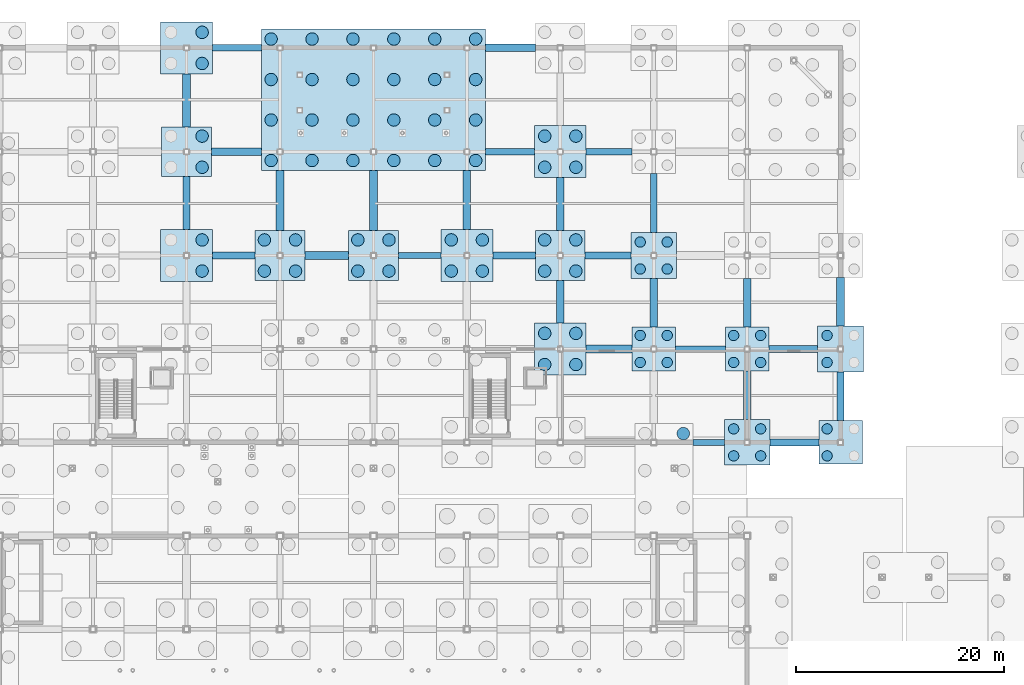
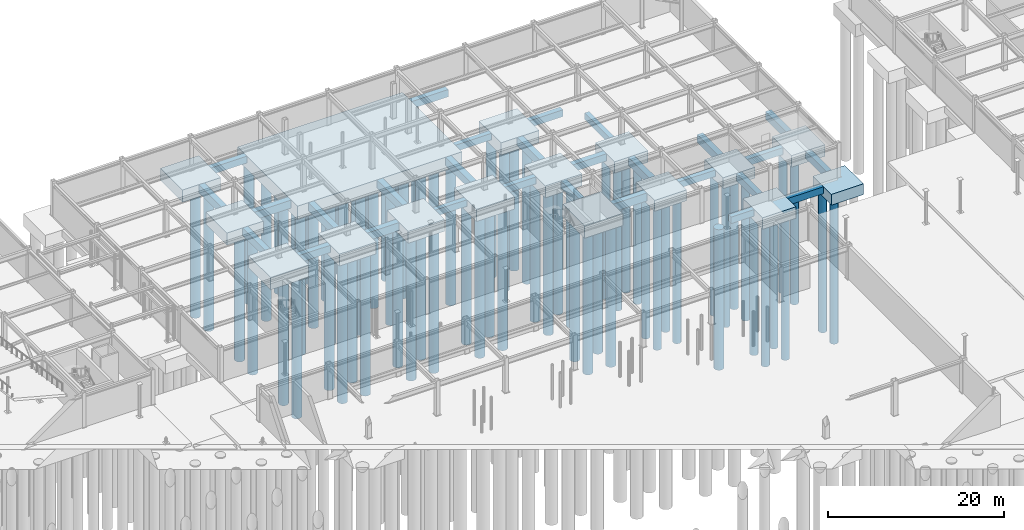
# One storey, part 7 of 74: 75 piles, 44 footings.
"""IFC4 building model written with IfcOpenShell, lengths in metres."""

from ifc_helpers import new_model, si_unit, direction, frame, origin, origin_2d, place, context, subcontext, project, spatial, polyline, rectangle, circle, outline, extrude, material, material_profile, profile_set, type_object, element, save


model = new_model("IFC4")

# Units and contexts
model_context = context("Model", 3, precision=1e-05, world=origin(), true_north=direction((0.0, 1.0)))
body_context = subcontext(model_context, "Body", "Model", "MODEL_VIEW")
ifc_project = project(units=[si_unit("LENGTHUNIT", "METRE"), si_unit("AREAUNIT", "SQUARE_METRE"), si_unit("VOLUMEUNIT", "CUBIC_METRE"), si_unit("PLANEANGLEUNIT", "RADIAN"), si_unit("MASSUNIT", "GRAM", prefix="KILO")], contexts=[model_context])

# Site, building, storey
site_placement = place(None, origin())
site = spatial("IfcSite", under=ifc_project, at=site_placement, CompositionType="ELEMENT")
building_placement = place(site_placement, origin())
building = spatial("IfcBuilding", under=site, at=building_placement, Name="Suzunagisa Mobility Hub", CompositionType="ELEMENT")
storey_placement = place(building_placement, frame((0.0, 0.0, -4.800048828125)))
storey = spatial("IfcBuildingStorey", under=building, at=storey_placement, Name="B1", CompositionType="ELEMENT", Elevation=-4.800048828125)

# Piles
ifc_material_1 = material(Name="Concrete C30/37", Category="concrete")
ifc_material_profile_1 = material_profile(ifc_material_1, circle(Radius=0.60009765625, at=origin_2d()), Name="BORED PILE D1200")
ifc_profile_set_1 = profile_set([ifc_material_profile_1], Name="Concrete C30/37")
pile_type_1 = type_object("IfcPileType", Name="Bored Pile PL-01 D1200", PredefinedType="BORED", material=ifc_profile_set_1)
for number, where, z_axis, x_axis, name in (
    (1, (64.5, 96.5, -2.050048828125), (0.0, 0.0, -1.0), (1.0, 0.0, 0.0), "Bored Pile 54.2"),
    (2, (64.5, 99.5, -2.050048828125), (0.0, 0.0, -1.0), (1.0, 0.0, 0.0), "Bored Pile 54.4"),
):
    element("IfcPile", number, at=place(storey_placement, frame(where, z_axis=z_axis, x_axis=x_axis)), inside=storey, type_object=pile_type_1, Name=name, PredefinedType="BORED", context=body_context, shape_type="SweptSolid", body=[
        extrude(circle(Radius=0.60009765625, at=origin_2d()), origin(), (0.0, 0.0, 1.0), 19.64990234375),
    ])
for number, where, z_axis, x_axis, name in (
    (3, (64.5, 106.5, -2.0), (0.0, 0.0, -1.0), (1.0, 0.0, 0.0), "Bored Pile 55.2"),
    (4, (64.5, 109.5, -2.0), (0.0, 0.0, -1.0), (1.0, 0.0, 0.0), "Bored Pile 55.4"),
):
    element("IfcPile", number, at=place(storey_placement, frame(where, z_axis=z_axis, x_axis=x_axis)), inside=storey, type_object=pile_type_1, Name=name, PredefinedType="BORED", context=body_context, shape_type="SweptSolid", body=[
        extrude(circle(Radius=0.60009765625, at=origin_2d()), origin(), (0.0, 0.0, 1.0), 19.699951171875),
    ])
for number, where, z_axis, x_axis, name in (
    (5, (64.5, 116.5, -2.050048828125), (0.0, 0.0, -1.0), (1.0, 0.0, 0.0), "Bored Pile 56.2"),
    (6, (64.5, 119.5, -2.050048828125), (0.0, 0.0, -1.0), (1.0, 0.0, 0.0), "Bored Pile 56.4"),
):
    element("IfcPile", number, at=place(storey_placement, frame(where, z_axis=z_axis, x_axis=x_axis)), inside=storey, type_object=pile_type_1, Name=name, PredefinedType="BORED", context=body_context, shape_type="SweptSolid", body=[
        extrude(circle(Radius=0.60009765625, at=origin_2d()), origin(), (0.0, 0.0, 1.0), 19.64990234375),
    ])
for number, where, z_axis, x_axis, name in (
    (7, (70.5, 96.5, -2.0), (0.0, 0.0, -1.0), (1.0, 0.0, 0.0), "Bored Pile 61.1"),
    (8, (73.5, 96.5, -2.0), (0.0, 0.0, -1.0), (1.0, 0.0, 0.0), "Bored Pile 61.2"),
    (9, (70.5, 99.5, -2.0), (0.0, 0.0, -1.0), (1.0, 0.0, 0.0), "Bored Pile 61.3"),
    (10, (73.5, 99.5, -2.0), (0.0, 0.0, -1.0), (1.0, 0.0, 0.0), "Bored Pile 61.4"),
):
    element("IfcPile", number, at=place(storey_placement, frame(where, z_axis=z_axis, x_axis=x_axis)), inside=storey, type_object=pile_type_1, Name=name, PredefinedType="BORED", context=body_context, shape_type="SweptSolid", body=[
        extrude(circle(Radius=0.60009765625, at=origin_2d()), origin(), (0.0, 0.0, 1.0), 19.699951171875),
    ])
for number, where, z_axis, x_axis, name in (
    (11, (71.14990234375, 107.14990234375, -2.199951171875), (0.0, 0.0, -1.0), (1.0, 0.0, 0.0), "Bored Pile 62.1"),
    (12, (71.14990234375, 111.050048828125, -2.199951171875), (0.0, 0.0, -1.0), (1.0, 0.0, 0.0), "Bored Pile 62.2"),
    (13, (71.14990234375, 114.949951171875, -2.199951171875), (0.0, 0.0, -1.0), (1.0, 0.0, 0.0), "Bored Pile 62.3"),
    (14, (71.14990234375, 118.85009765625, -2.199951171875), (0.0, 0.0, -1.0), (1.0, 0.0, 0.0), "Bored Pile 62.4"),
    (15, (75.090087890625, 107.14990234375, -2.199951171875), (0.0, 0.0, -1.0), (1.0, 0.0, 0.0), "Bored Pile 62.5"),
    (16, (75.090087890625, 111.050048828125, -2.199951171875), (0.0, 0.0, -1.0), (1.0, 0.0, 0.0), "Bored Pile 62.6"),
    (17, (75.090087890625, 114.949951171875, -2.199951171875), (0.0, 0.0, -1.0), (1.0, 0.0, 0.0), "Bored Pile 62.7"),
    (18, (75.090087890625, 118.85009765625, -2.199951171875), (0.0, 0.0, -1.0), (1.0, 0.0, 0.0), "Bored Pile 62.8"),
    (19, (79.030029296875, 107.14990234375, -2.199951171875), (0.0, 0.0, -1.0), (1.0, 0.0, 0.0), "Bored Pile 62.9"),
    (20, (79.030029296875, 111.050048828125, -2.199951171875), (0.0, 0.0, -1.0), (1.0, 0.0, 0.0), "Bored Pile 62.10"),
    (21, (79.030029296875, 114.949951171875, -2.199951171875), (0.0, 0.0, -1.0), (1.0, 0.0, 0.0), "Bored Pile 62.11"),
    (22, (79.030029296875, 118.85009765625, -2.199951171875), (0.0, 0.0, -1.0), (1.0, 0.0, 0.0), "Bored Pile 62.12"),
    (23, (82.969970703125, 107.14990234375, -2.199951171875), (0.0, 0.0, -1.0), (1.0, 0.0, 0.0), "Bored Pile 62.13"),
    (24, (82.969970703125, 111.050048828125, -2.199951171875), (0.0, 0.0, -1.0), (1.0, 0.0, 0.0), "Bored Pile 62.14"),
    (25, (82.969970703125, 114.949951171875, -2.199951171875), (0.0, 0.0, -1.0), (1.0, 0.0, 0.0), "Bored Pile 62.15"),
    (26, (82.969970703125, 118.85009765625, -2.199951171875), (0.0, 0.0, -1.0), (1.0, 0.0, 0.0), "Bored Pile 62.16"),
    (27, (86.909912109375, 107.14990234375, -2.199951171875), (0.0, 0.0, -1.0), (1.0, 0.0, 0.0), "Bored Pile 62.17"),
    (28, (86.909912109375, 111.050048828125, -2.199951171875), (0.0, 0.0, -1.0), (1.0, 0.0, 0.0), "Bored Pile 62.18"),
    (29, (86.909912109375, 114.949951171875, -2.199951171875), (0.0, 0.0, -1.0), (1.0, 0.0, 0.0), "Bored Pile 62.19"),
    (30, (86.909912109375, 118.85009765625, -2.199951171875), (0.0, 0.0, -1.0), (1.0, 0.0, 0.0), "Bored Pile 62.20"),
    (31, (90.85009765625, 107.14990234375, -2.199951171875), (0.0, 0.0, -1.0), (1.0, 0.0, 0.0), "Bored Pile 62.21"),
    (32, (90.85009765625, 111.050048828125, -2.199951171875), (0.0, 0.0, -1.0), (1.0, 0.0, 0.0), "Bored Pile 62.22"),
    (33, (90.85009765625, 114.949951171875, -2.199951171875), (0.0, 0.0, -1.0), (1.0, 0.0, 0.0), "Bored Pile 62.23"),
    (34, (90.85009765625, 118.85009765625, -2.199951171875), (0.0, 0.0, -1.0), (1.0, 0.0, 0.0), "Bored Pile 62.24"),
):
    element("IfcPile", number, at=place(storey_placement, frame(where, z_axis=z_axis, x_axis=x_axis)), inside=storey, type_object=pile_type_1, Name=name, PredefinedType="BORED", context=body_context, shape_type="SweptSolid", body=[
        extrude(circle(Radius=0.60009765625, at=origin_2d()), origin(), (0.0, 0.0, 1.0), 19.5),
    ])
for number, where, z_axis, x_axis, name in (
    (35, (79.5, 96.5, -2.0), (0.0, 0.0, -1.0), (1.0, 0.0, 0.0), "Bored Pile 67.1"),
    (36, (82.5, 96.5, -2.0), (0.0, 0.0, -1.0), (1.0, 0.0, 0.0), "Bored Pile 67.2"),
    (37, (79.5, 99.5, -2.0), (0.0, 0.0, -1.0), (1.0, 0.0, 0.0), "Bored Pile 67.3"),
    (38, (82.5, 99.5, -2.0), (0.0, 0.0, -1.0), (1.0, 0.0, 0.0), "Bored Pile 67.4"),
):
    element("IfcPile", number, at=place(storey_placement, frame(where, z_axis=z_axis, x_axis=x_axis)), inside=storey, type_object=pile_type_1, Name=name, PredefinedType="BORED", context=body_context, shape_type="SweptSolid", body=[
        extrude(circle(Radius=0.60009765625, at=origin_2d()), origin(), (0.0, 0.0, 1.0), 19.699951171875),
    ])
for number, where, z_axis, x_axis, name in (
    (39, (88.5, 96.5, -2.050048828125), (0.0, 0.0, -1.0), (1.0, 0.0, 0.0), "Bored Pile 72.1"),
    (40, (91.5, 96.5, -2.050048828125), (0.0, 0.0, -1.0), (1.0, 0.0, 0.0), "Bored Pile 72.2"),
    (41, (88.5, 99.5, -2.050048828125), (0.0, 0.0, -1.0), (1.0, 0.0, 0.0), "Bored Pile 72.3"),
    (42, (91.5, 99.5, -2.050048828125), (0.0, 0.0, -1.0), (1.0, 0.0, 0.0), "Bored Pile 72.4"),
    (43, (97.5, 87.5, -2.050048828125), (0.0, 0.0, -1.0), (1.0, 0.0, 0.0), "Bored Pile 78.1"),
    (44, (100.5, 87.5, -2.050048828125), (0.0, 0.0, -1.0), (1.0, 0.0, 0.0), "Bored Pile 78.2"),
    (45, (97.5, 90.5, -2.050048828125), (0.0, 0.0, -1.0), (1.0, 0.0, 0.0), "Bored Pile 78.3"),
    (46, (100.5, 90.5, -2.050048828125), (0.0, 0.0, -1.0), (1.0, 0.0, 0.0), "Bored Pile 78.4"),
):
    element("IfcPile", number, at=place(storey_placement, frame(where, z_axis=z_axis, x_axis=x_axis)), inside=storey, type_object=pile_type_1, Name=name, PredefinedType="BORED", context=body_context, shape_type="SweptSolid", body=[
        extrude(circle(Radius=0.60009765625, at=origin_2d()), origin(), (0.0, 0.0, 1.0), 19.64990234375),
    ])
for number, where, z_axis, x_axis, name in (
    (47, (97.5, 96.5, -2.0), (0.0, 0.0, -1.0), (1.0, 0.0, 0.0), "Bored Pile 79.1"),
    (48, (100.5, 96.5, -2.0), (0.0, 0.0, -1.0), (1.0, 0.0, 0.0), "Bored Pile 79.2"),
    (49, (97.5, 99.5, -2.0), (0.0, 0.0, -1.0), (1.0, 0.0, 0.0), "Bored Pile 79.3"),
    (50, (100.5, 99.5, -2.0), (0.0, 0.0, -1.0), (1.0, 0.0, 0.0), "Bored Pile 79.4"),
):
    element("IfcPile", number, at=place(storey_placement, frame(where, z_axis=z_axis, x_axis=x_axis)), inside=storey, type_object=pile_type_1, Name=name, PredefinedType="BORED", context=body_context, shape_type="SweptSolid", body=[
        extrude(circle(Radius=0.60009765625, at=origin_2d()), origin(), (0.0, 0.0, 1.0), 19.699951171875),
    ])
for number, where, z_axis, x_axis, name in (
    (51, (97.5, 106.5, -2.050048828125), (0.0, 0.0, -1.0), (1.0, 0.0, 0.0), "Bored Pile 80.1"),
    (52, (100.5, 106.5, -2.050048828125), (0.0, 0.0, -1.0), (1.0, 0.0, 0.0), "Bored Pile 80.2"),
    (53, (97.5, 109.5, -2.050048828125), (0.0, 0.0, -1.0), (1.0, 0.0, 0.0), "Bored Pile 80.3"),
    (54, (100.5, 109.5, -2.050048828125), (0.0, 0.0, -1.0), (1.0, 0.0, 0.0), "Bored Pile 80.4"),
):
    element("IfcPile", number, at=place(storey_placement, frame(where, z_axis=z_axis, x_axis=x_axis)), inside=storey, type_object=pile_type_1, Name=name, PredefinedType="BORED", context=body_context, shape_type="SweptSolid", body=[
        extrude(circle(Radius=0.60009765625, at=origin_2d()), origin(), (0.0, 0.0, 1.0), 19.64990234375),
    ])
pile_placement = place(storey_placement, frame((110.85009765625, 80.85009765625, -2.199951171875), z_axis=(0.0, 0.0, -1.0), x_axis=(1.0, 0.0, 0.0)))
element("IfcPile", 55, at=pile_placement, inside=storey, type_object=pile_type_1, Name="Bored Pile 84.8", PredefinedType="BORED", context=body_context, shape_type="SweptSolid", body=[
    extrude(circle(Radius=0.60009765625, at=origin_2d()), origin(), (0.0, 0.0, 1.0), 19.5),
])
ifc_material_profile_2 = material_profile(ifc_material_1, circle(Radius=0.5, at=origin_2d()), Name="BORED PILE D1000")
ifc_profile_set_2 = profile_set([ifc_material_profile_2], Name="Concrete C30/37")
pile_type_2 = type_object("IfcPileType", Name="Bored Pile PL-02 D1000", PredefinedType="BORED", material=ifc_profile_set_2)
for number, where, z_axis, x_axis, name in (
    (56, (106.699951171875, 87.699951171875, -1.849853515625), (0.0, 0.0, -1.0), (1.0, 0.0, 0.0), "Bored Pile 85.1"),
    (57, (109.300048828125, 87.699951171875, -1.849853515625), (0.0, 0.0, -1.0), (1.0, 0.0, 0.0), "Bored Pile 85.2"),
    (58, (106.699951171875, 90.300048828125, -1.849853515625), (0.0, 0.0, -1.0), (1.0, 0.0, 0.0), "Bored Pile 85.3"),
    (59, (109.300048828125, 90.300048828125, -1.849853515625), (0.0, 0.0, -1.0), (1.0, 0.0, 0.0), "Bored Pile 85.4"),
):
    element("IfcPile", number, at=place(storey_placement, frame(where, z_axis=z_axis, x_axis=x_axis)), inside=storey, type_object=pile_type_2, Name=name, PredefinedType="BORED", context=body_context, shape_type="SweptSolid", body=[
        extrude(circle(Radius=0.5, at=origin_2d()), origin(), (0.0, 0.0, 1.0), 19.85009765625),
    ])
for number, where, z_axis, x_axis, name in (
    (60, (106.699951171875, 96.699951171875, -1.949951171875), (0.0, 0.0, -1.0), (1.0, 0.0, 0.0), "Bored Pile 86.1"),
    (61, (109.300048828125, 96.699951171875, -1.949951171875), (0.0, 0.0, -1.0), (1.0, 0.0, 0.0), "Bored Pile 86.2"),
    (62, (106.699951171875, 99.300048828125, -1.949951171875), (0.0, 0.0, -1.0), (1.0, 0.0, 0.0), "Bored Pile 86.3"),
    (63, (109.300048828125, 99.300048828125, -1.949951171875), (0.0, 0.0, -1.0), (1.0, 0.0, 0.0), "Bored Pile 86.4"),
    (64, (115.699951171875, 78.699951171875, -1.949951171875), (0.0, 0.0, -1.0), (1.0, 0.0, 0.0), "Bored Pile 90.1"),
    (65, (118.300048828125, 78.699951171875, -1.949951171875), (0.0, 0.0, -1.0), (1.0, 0.0, 0.0), "Bored Pile 90.2"),
    (66, (115.699951171875, 81.300048828125, -1.949951171875), (0.0, 0.0, -1.0), (1.0, 0.0, 0.0), "Bored Pile 90.3"),
    (67, (118.300048828125, 81.300048828125, -1.949951171875), (0.0, 0.0, -1.0), (1.0, 0.0, 0.0), "Bored Pile 90.4"),
):
    element("IfcPile", number, at=place(storey_placement, frame(where, z_axis=z_axis, x_axis=x_axis)), inside=storey, type_object=pile_type_2, Name=name, PredefinedType="BORED", context=body_context, shape_type="SweptSolid", body=[
        extrude(circle(Radius=0.5, at=origin_2d()), origin(), (0.0, 0.0, 1.0), 19.75),
    ])
for number, where, z_axis, x_axis, name in (
    (68, (115.699951171875, 87.699951171875, -1.849853515625), (0.0, 0.0, -1.0), (1.0, 0.0, 0.0), "Bored Pile 91.1"),
    (69, (118.300048828125, 87.699951171875, -1.849853515625), (0.0, 0.0, -1.0), (1.0, 0.0, 0.0), "Bored Pile 91.2"),
    (70, (115.699951171875, 90.300048828125, -1.849853515625), (0.0, 0.0, -1.0), (1.0, 0.0, 0.0), "Bored Pile 91.3"),
    (71, (118.300048828125, 90.300048828125, -1.849853515625), (0.0, 0.0, -1.0), (1.0, 0.0, 0.0), "Bored Pile 91.4"),
    (72, (124.699951171875, 78.699951171875, -1.849853515625), (0.0, 0.0, -1.0), (1.0, 0.0, 0.0), "Bored Pile 95.1"),
    (73, (124.699951171875, 81.300048828125, -1.849853515625), (0.0, 0.0, -1.0), (1.0, 0.0, 0.0), "Bored Pile 95.3"),
):
    element("IfcPile", number, at=place(storey_placement, frame(where, z_axis=z_axis, x_axis=x_axis)), inside=storey, type_object=pile_type_2, Name=name, PredefinedType="BORED", context=body_context, shape_type="SweptSolid", body=[
        extrude(circle(Radius=0.5, at=origin_2d()), origin(), (0.0, 0.0, 1.0), 19.85009765625),
    ])
for number, where, z_axis, x_axis, name in (
    (74, (124.699951171875, 87.699951171875, -1.949951171875), (0.0, 0.0, -1.0), (1.0, 0.0, 0.0), "Bored Pile 96.1"),
    (75, (124.699951171875, 90.300048828125, -1.949951171875), (0.0, 0.0, -1.0), (1.0, 0.0, 0.0), "Bored Pile 96.3"),
):
    element("IfcPile", number, at=place(storey_placement, frame(where, z_axis=z_axis, x_axis=x_axis)), inside=storey, type_object=pile_type_2, Name=name, PredefinedType="BORED", context=body_context, shape_type="SweptSolid", body=[
        extrude(circle(Radius=0.5, at=origin_2d()), origin(), (0.0, 0.0, 1.0), 19.75),
    ])

# Footings
ifc_material_2 = material(Name="Concrete C35/45", Category="concrete")
footing_type_1 = type_object("IfcFootingType", Name="Combined Prow Pile Cap FR-14 21600x13600x1850", PredefinedType="PILE_CAP", material=ifc_material_2)
footing_1_placement = place(storey_placement, frame((81.0, 113.0, -2.35009765625), z_axis=(0.0, 0.0, 1.0), x_axis=(1.0, 0.0, 0.0)))
element("IfcFooting", 76, at=footing_1_placement, inside=storey, type_object=footing_type_1, Name="Combined Prow Pile Cap 62", PredefinedType="PILE_CAP", context=body_context, shape_type="SweptSolid", body=[
    extrude(rectangle(XDim=21.60009765625, YDim=13.60009765625, at=origin_2d()), origin(), (0.0, 0.0, 1.0), 1.85009765625),
])
footing_type_2 = type_object("IfcFootingType", Name="Ground Tie Beam FT-03 750x1100", PredefinedType="FOOTING_BEAM", material=ifc_material_2)
footing_2_placement = place(storey_placement, frame((0.0, 0.0, -1.599853515625)))
element("IfcFooting", 77, at=footing_2_placement, inside=storey, type_object=footing_type_2, Name="Foundation Tie Beam TBX-108", PredefinedType="FOOTING_BEAM", context=body_context, shape_type="SweptSolid", body=[
    extrude(outline(polyline([(101.5, 88.625), (105.89990234375, 88.625), (105.89990234375, 89.375), (101.5, 89.375), (101.5, 88.625)])), origin(), (0.0, 0.0, 1.0), 1.099853515625),
])
footing_3_placement = place(storey_placement, frame((0.0, 0.0, -1.599853515625)))
element("IfcFooting", 78, at=footing_3_placement, inside=storey, type_object=footing_type_2, Name="Foundation Tie Beam TBX-120", PredefinedType="FOOTING_BEAM", context=body_context, shape_type="SweptSolid", body=[
    extrude(outline(polyline([(74.39990234375, 97.625), (78.60009765625, 97.625), (78.60009765625, 98.375), (74.39990234375, 98.375), (74.39990234375, 97.625)])), origin(), (0.0, 0.0, 1.0), 1.099853515625),
])
footing_4_placement = place(storey_placement, frame((0.0, 0.0, -1.599853515625)))
element("IfcFooting", 79, at=footing_4_placement, inside=storey, type_object=footing_type_2, Name="Foundation Tie Beam TBX-132", PredefinedType="FOOTING_BEAM", context=body_context, shape_type="SweptSolid", body=[
    extrude(outline(polyline([(65.39990234375, 107.625), (70.199951171875, 107.625), (70.199951171875, 108.375), (65.39990234375, 108.375), (65.39990234375, 107.625)])), origin(), (0.0, 0.0, 1.0), 1.099853515625),
])
footing_5_placement = place(storey_placement, frame((0.0, 0.0, -1.599853515625)))
element("IfcFooting", 80, at=footing_5_placement, inside=storey, type_object=footing_type_2, Name="Foundation Tie Beam TBY-192", PredefinedType="FOOTING_BEAM", context=body_context, shape_type="SweptSolid", body=[
    extrude(outline(polyline([(62.625, 110.39990234375), (63.375, 110.39990234375), (63.375, 115.5), (62.625, 115.5), (62.625, 110.39990234375)])), origin(), (0.0, 0.0, 1.0), 1.099853515625),
])
footing_6_placement = place(storey_placement, frame((0.0, 0.0, -1.599853515625)))
element("IfcFooting", 81, at=footing_6_placement, inside=storey, type_object=footing_type_2, Name="Foundation Tie Beam TBY-196", PredefinedType="FOOTING_BEAM", context=body_context, shape_type="SweptSolid", body=[
    extrude(outline(polyline([(71.625, 100.39990234375), (72.375, 100.39990234375), (72.375, 106.199951171875), (71.625, 106.199951171875), (71.625, 100.39990234375)])), origin(), (0.0, 0.0, 1.0), 1.099853515625),
])
footing_7_placement = place(storey_placement, frame((0.0, 0.0, -1.599853515625)))
element("IfcFooting", 82, at=footing_7_placement, inside=storey, type_object=footing_type_2, Name="Foundation Tie Beam TBY-200", PredefinedType="FOOTING_BEAM", context=body_context, shape_type="SweptSolid", body=[
    extrude(outline(polyline([(80.625, 100.39990234375), (81.375, 100.39990234375), (81.375, 106.199951171875), (80.625, 106.199951171875), (80.625, 100.39990234375)])), origin(), (0.0, 0.0, 1.0), 1.099853515625),
])
footing_8_placement = place(storey_placement, frame((0.0, 0.0, -1.599853515625)))
element("IfcFooting", 83, at=footing_8_placement, inside=storey, type_object=footing_type_2, Name="Foundation Tie Beam TBY-204", PredefinedType="FOOTING_BEAM", context=body_context, shape_type="SweptSolid", body=[
    extrude(outline(polyline([(89.625, 100.5), (90.375, 100.5), (90.375, 106.199951171875), (89.625, 106.199951171875), (89.625, 100.5)])), origin(), (0.0, 0.0, 1.0), 1.099853515625),
])
footing_9_placement = place(storey_placement, frame((0.0, 0.0, -1.599853515625)))
element("IfcFooting", 84, at=footing_9_placement, inside=storey, type_object=footing_type_2, Name="Foundation Tie Beam TBY-208", PredefinedType="FOOTING_BEAM", context=body_context, shape_type="SweptSolid", body=[
    extrude(outline(polyline([(98.625, 100.39990234375), (99.375, 100.39990234375), (99.375, 105.5), (98.625, 105.5), (98.625, 100.39990234375)])), origin(), (0.0, 0.0, 1.0), 1.099853515625),
])
footing_10_placement = place(storey_placement, frame((0.0, 0.0, -1.599853515625)))
element("IfcFooting", 85, at=footing_10_placement, inside=storey, type_object=footing_type_2, Name="Foundation Tie Beam TBY-212", PredefinedType="FOOTING_BEAM", context=body_context, shape_type="SweptSolid", body=[
    extrude(outline(polyline([(107.625, 91.10009765625), (108.375, 91.10009765625), (108.375, 95.800048828125), (107.625, 95.800048828125), (107.625, 91.10009765625)])), origin(), (0.0, 0.0, 1.0), 1.099853515625),
])
footing_11_placement = place(storey_placement, frame((0.0, 0.0, -1.599853515625)))
element("IfcFooting", 86, at=footing_11_placement, inside=storey, type_object=footing_type_2, Name="Foundation Tie Beam TBY-216", PredefinedType="FOOTING_BEAM", context=body_context, shape_type="SweptSolid", body=[
    extrude(outline(polyline([(116.625, 91.10009765625), (117.375, 91.10009765625), (117.375, 95.800048828125), (116.625, 95.800048828125), (116.625, 91.10009765625)])), origin(), (0.0, 0.0, 1.0), 1.099853515625),
])
footing_12_placement = place(storey_placement, frame((0.0, 0.0, -1.599853515625)))
element("IfcFooting", 87, at=footing_12_placement, inside=storey, type_object=footing_type_2, Name="Foundation Tie Beam TBY-220", PredefinedType="FOOTING_BEAM", context=body_context, shape_type="SweptSolid", body=[
    extrude(outline(polyline([(125.625, 91.199951171875), (126.375, 91.199951171875), (126.375, 95.89990234375), (125.625, 95.89990234375), (125.625, 91.199951171875)])), origin(), (0.0, 0.0, 1.0), 1.099853515625),
])
footing_type_3 = type_object("IfcFootingType", Name="Ground Tie Beam FT-05 600x900", PredefinedType="FOOTING_BEAM", material=ifc_material_2)
footing_13_placement = place(storey_placement, frame((0.0, 0.0, -1.39990234375)))
element("IfcFooting", 88, at=footing_13_placement, inside=storey, type_object=footing_type_3, Name="Foundation Tie Beam TBX-97", PredefinedType="FOOTING_BEAM", context=body_context, shape_type="SweptSolid", body=[
    extrude(outline(polyline([(111.800048828125, 79.699951171875), (114.800048828125, 79.699951171875), (114.800048828125, 80.300048828125), (111.800048828125, 80.300048828125), (111.800048828125, 79.699951171875)])), origin(), (0.0, 0.0, 1.0), 0.89990234375),
])
footing_14_placement = place(storey_placement, frame((0.0, 0.0, -1.39990234375)))
element("IfcFooting", 89, at=footing_14_placement, inside=storey, type_object=footing_type_3, Name="Foundation Tie Beam TBX-109", PredefinedType="FOOTING_BEAM", context=body_context, shape_type="SweptSolid", body=[
    extrude(outline(polyline([(110.10009765625, 88.699951171875), (114.89990234375, 88.699951171875), (114.89990234375, 89.300048828125), (110.10009765625, 89.300048828125), (110.10009765625, 88.699951171875)])), origin(), (0.0, 0.0, 1.0), 0.89990234375),
])
footing_15_placement = place(storey_placement, frame((0.0, 0.0, -1.39990234375)))
element("IfcFooting", 90, at=footing_15_placement, inside=storey, type_object=footing_type_3, Name="Foundation Tie Beam TBX-121", PredefinedType="FOOTING_BEAM", context=body_context, shape_type="SweptSolid", body=[
    extrude(outline(polyline([(83.39990234375, 97.699951171875), (87.5, 97.699951171875), (87.5, 98.300048828125), (83.39990234375, 98.300048828125), (83.39990234375, 97.699951171875)])), origin(), (0.0, 0.0, 1.0), 0.89990234375),
])
footing_16_placement = place(storey_placement, frame((0.0, 0.0, -1.39990234375)))
element("IfcFooting", 91, at=footing_16_placement, inside=storey, type_object=footing_type_3, Name="Foundation Tie Beam TBX-133", PredefinedType="FOOTING_BEAM", context=body_context, shape_type="SweptSolid", body=[
    extrude(outline(polyline([(91.800048828125, 107.699951171875), (96.5, 107.699951171875), (96.5, 108.300048828125), (91.800048828125, 108.300048828125), (91.800048828125, 107.699951171875)])), origin(), (0.0, 0.0, 1.0), 0.89990234375),
])
footing_17_placement = place(storey_placement, frame((0.0, 0.0, -1.39990234375)))
element("IfcFooting", 92, at=footing_17_placement, inside=storey, type_object=footing_type_3, Name="Foundation Tie Beam TBY-213", PredefinedType="FOOTING_BEAM", context=body_context, shape_type="SweptSolid", body=[
    extrude(outline(polyline([(107.699951171875, 100.199951171875), (108.300048828125, 100.199951171875), (108.300048828125, 105.89990234375), (107.699951171875, 105.89990234375), (107.699951171875, 100.199951171875)])), origin(), (0.0, 0.0, 1.0), 0.89990234375),
])
footing_type_4 = type_object("IfcFootingType", Name="Ground Tie Beam FT-07 650x950", PredefinedType="FOOTING_BEAM", material=ifc_material_2)
footing_18_placement = place(storey_placement, frame((0.0, 0.0, -1.449951171875)))
element("IfcFooting", 93, at=footing_18_placement, inside=storey, type_object=footing_type_4, Name="Foundation Tie Beam TBX-98", PredefinedType="FOOTING_BEAM", context=body_context, shape_type="SweptSolid", body=[
    extrude(outline(polyline([(119.199951171875, 79.675048828125), (123.89990234375, 79.675048828125), (123.89990234375, 80.324951171875), (119.199951171875, 80.324951171875), (119.199951171875, 79.675048828125)])), origin(), (0.0, 0.0, 1.0), 0.949951171875),
])
footing_19_placement = place(storey_placement, frame((0.0, 0.0, -1.449951171875)))
element("IfcFooting", 94, at=footing_19_placement, inside=storey, type_object=footing_type_4, Name="Foundation Tie Beam TBX-110", PredefinedType="FOOTING_BEAM", context=body_context, shape_type="SweptSolid", body=[
    extrude(outline(polyline([(119.10009765625, 88.675048828125), (123.800048828125, 88.675048828125), (123.800048828125, 89.324951171875), (119.10009765625, 89.324951171875), (119.10009765625, 88.675048828125)])), origin(), (0.0, 0.0, 1.0), 0.949951171875),
])
footing_20_placement = place(storey_placement, frame((0.0, 0.0, -1.449951171875)))
element("IfcFooting", 95, at=footing_20_placement, inside=storey, type_object=footing_type_4, Name="Foundation Tie Beam TBX-122", PredefinedType="FOOTING_BEAM", context=body_context, shape_type="SweptSolid", body=[
    extrude(outline(polyline([(92.5, 97.675048828125), (96.60009765625, 97.675048828125), (96.60009765625, 98.324951171875), (92.5, 98.324951171875), (92.5, 97.675048828125)])), origin(), (0.0, 0.0, 1.0), 0.949951171875),
])
footing_21_placement = place(storey_placement, frame((0.0, 0.0, -1.449951171875)))
element("IfcFooting", 96, at=footing_21_placement, inside=storey, type_object=footing_type_4, Name="Foundation Tie Beam TBX-134", PredefinedType="FOOTING_BEAM", context=body_context, shape_type="SweptSolid", body=[
    extrude(outline(polyline([(101.5, 107.675048828125), (105.89990234375, 107.675048828125), (105.89990234375, 108.324951171875), (101.5, 108.324951171875), (101.5, 107.675048828125)])), origin(), (0.0, 0.0, 1.0), 0.949951171875),
])
footing_22_placement = place(storey_placement, frame((0.0, 0.0, -1.449951171875)))
element("IfcFooting", 97, at=footing_22_placement, inside=storey, type_object=footing_type_4, Name="Foundation Tie Beam TBX-142", PredefinedType="FOOTING_BEAM", context=body_context, shape_type="SweptSolid", body=[
    extrude(outline(polyline([(65.5, 117.675048828125), (70.199951171875, 117.675048828125), (70.199951171875, 118.324951171875), (65.5, 118.324951171875), (65.5, 117.675048828125)])), origin(), (0.0, 0.0, 1.0), 0.949951171875),
])
footing_type_5 = type_object("IfcFootingType", Name="Ground Tie Beam FT-23 700x1000", PredefinedType="FOOTING_BEAM", material=ifc_material_2)
footing_23_placement = place(storey_placement, frame((0.0, 0.0, -1.5)))
element("IfcFooting", 98, at=footing_23_placement, inside=storey, type_object=footing_type_5, Name="Foundation Tie Beam TBX-119", PredefinedType="FOOTING_BEAM", context=body_context, shape_type="SweptSolid", body=[
    extrude(outline(polyline([(65.5, 97.64990234375), (69.60009765625, 97.64990234375), (69.60009765625, 98.35009765625), (65.5, 98.35009765625), (65.5, 97.64990234375)])), origin(), (0.0, 0.0, 1.0), 1.0),
])
footing_24_placement = place(storey_placement, frame((0.0, 0.0, -1.5)))
element("IfcFooting", 99, at=footing_24_placement, inside=storey, type_object=footing_type_5, Name="Foundation Tie Beam TBX-123", PredefinedType="FOOTING_BEAM", context=body_context, shape_type="SweptSolid", body=[
    extrude(outline(polyline([(101.39990234375, 97.64990234375), (105.800048828125, 97.64990234375), (105.800048828125, 98.35009765625), (101.39990234375, 98.35009765625), (101.39990234375, 97.64990234375)])), origin(), (0.0, 0.0, 1.0), 1.0),
])
footing_25_placement = place(storey_placement, frame((0.0, 0.0, -1.5)))
element("IfcFooting", 100, at=footing_25_placement, inside=storey, type_object=footing_type_5, Name="Foundation Tie Beam TBX-143", PredefinedType="FOOTING_BEAM", context=body_context, shape_type="SweptSolid", body=[
    extrude(outline(polyline([(91.800048828125, 117.64990234375), (96.60009765625, 117.64990234375), (96.60009765625, 118.35009765625), (91.800048828125, 118.35009765625), (91.800048828125, 117.64990234375)])), origin(), (0.0, 0.0, 1.0), 1.0),
])
footing_26_placement = place(storey_placement, frame((0.0, 0.0, -1.5)))
element("IfcFooting", 101, at=footing_26_placement, inside=storey, type_object=footing_type_5, Name="Foundation Tie Beam TBY-191", PredefinedType="FOOTING_BEAM", context=body_context, shape_type="SweptSolid", body=[
    extrude(outline(polyline([(62.64990234375, 100.5), (63.35009765625, 100.5), (63.35009765625, 105.60009765625), (62.64990234375, 105.60009765625), (62.64990234375, 100.5)])), origin(), (0.0, 0.0, 1.0), 1.0),
])
footing_27_placement = place(storey_placement, frame((0.0, 0.0, -1.5)))
element("IfcFooting", 102, at=footing_27_placement, inside=storey, type_object=footing_type_5, Name="Foundation Tie Beam TBY-207", PredefinedType="FOOTING_BEAM", context=body_context, shape_type="SweptSolid", body=[
    extrude(outline(polyline([(98.64990234375, 91.5), (99.35009765625, 91.5), (99.35009765625, 95.60009765625), (98.64990234375, 95.60009765625), (98.64990234375, 91.5)])), origin(), (0.0, 0.0, 1.0), 1.0),
])
footing_28_placement = place(storey_placement, frame((0.0, 0.0, -1.5)))
element("IfcFooting", 103, at=footing_28_placement, inside=storey, type_object=footing_type_5, Name="Foundation Tie Beam TBY-215", PredefinedType="FOOTING_BEAM", context=body_context, shape_type="SweptSolid", body=[
    extrude(outline(polyline([(116.64990234375, 82.199951171875), (117.35009765625, 82.199951171875), (117.35009765625, 86.89990234375), (116.64990234375, 86.89990234375), (116.64990234375, 82.199951171875)])), origin(), (0.0, 0.0, 1.0), 1.0),
])
footing_29_placement = place(storey_placement, frame((0.0, 0.0, -1.5)))
element("IfcFooting", 104, at=footing_29_placement, inside=storey, type_object=footing_type_5, Name="Foundation Tie Beam TBY-219", PredefinedType="FOOTING_BEAM", context=body_context, shape_type="SweptSolid", body=[
    extrude(outline(polyline([(125.64990234375, 82.10009765625), (126.35009765625, 82.10009765625), (126.35009765625, 86.800048828125), (125.64990234375, 86.800048828125), (125.64990234375, 82.10009765625)])), origin(), (0.0, 0.0, 1.0), 1.0),
])
footing_type_6 = type_object("IfcFootingType", Name="Pile Cap FT-01 5000x5000x1700", PredefinedType="PILE_CAP", material=ifc_material_2)
for number, where, z_axis, x_axis, name in (
    (105, (63.0, 98.0, -2.19970703125), (0.0, 0.0, 1.0), (1.0, 0.0, 0.0), "Pile Cap 54"),
    (106, (63.0, 118.0, -2.19970703125), (0.0, 0.0, 1.0), (1.0, 0.0, 0.0), "Pile Cap 56"),
    (107, (90.0, 98.0, -2.19970703125), (0.0, 0.0, 1.0), (1.0, 0.0, 0.0), "Pile Cap 72"),
    (108, (99.0, 89.0, -2.19970703125), (0.0, 0.0, 1.0), (1.0, 0.0, 0.0), "Pile Cap 78"),
    (109, (99.0, 108.0, -2.19970703125), (0.0, 0.0, 1.0), (1.0, 0.0, 0.0), "Pile Cap 80"),
):
    element("IfcFooting", number, at=place(storey_placement, frame(where, z_axis=z_axis, x_axis=x_axis)), inside=storey, type_object=footing_type_6, Name=name, PredefinedType="PILE_CAP", context=body_context, shape_type="SweptSolid", body=[
        extrude(rectangle(XDim=5.0, YDim=5.0, at=origin_2d()), origin(), (0.0, 0.0, 1.0), 1.699951171875),
    ])
footing_type_7 = type_object("IfcFootingType", Name="Pile Cap FT-14 4800x4800x1650", PredefinedType="PILE_CAP", material=ifc_material_2)
for number, where, z_axis, x_axis, name in (
    (110, (63.0, 108.0, -2.14990234375), (0.0, 0.0, 1.0), (1.0, 0.0, 0.0), "Pile Cap 55"),
    (111, (72.0, 98.0, -2.14990234375), (0.0, 0.0, 1.0), (1.0, 0.0, 0.0), "Pile Cap 61"),
    (112, (81.0, 98.0, -2.14990234375), (0.0, 0.0, 1.0), (1.0, 0.0, 0.0), "Pile Cap 67"),
    (113, (99.0, 98.0, -2.14990234375), (0.0, 0.0, 1.0), (1.0, 0.0, 0.0), "Pile Cap 79"),
):
    element("IfcFooting", number, at=place(storey_placement, frame(where, z_axis=z_axis, x_axis=x_axis)), inside=storey, type_object=footing_type_7, Name=name, PredefinedType="PILE_CAP", context=body_context, shape_type="SweptSolid", body=[
        extrude(rectangle(XDim=4.800048828125, YDim=4.800048828125, at=origin_2d()), origin(), (0.0, 0.0, 1.0), 1.64990234375),
    ])
footing_type_8 = type_object("IfcFootingType", Name="Pile Cap FT-16 4400x4400x1600", PredefinedType="PILE_CAP", material=ifc_material_2)
for number, where, z_axis, x_axis, name in (
    (114, (108.0, 98.0, -2.10009765625), (0.0, 0.0, 1.0), (1.0, 0.0, 0.0), "Pile Cap 86"),
    (115, (117.0, 80.0, -2.10009765625), (0.0, 0.0, 1.0), (1.0, 0.0, 0.0), "Pile Cap 90"),
    (116, (126.0, 89.0, -2.10009765625), (0.0, 0.0, 1.0), (1.0, 0.0, 0.0), "Pile Cap 96"),
):
    element("IfcFooting", number, at=place(storey_placement, frame(where, z_axis=z_axis, x_axis=x_axis)), inside=storey, type_object=footing_type_8, Name=name, PredefinedType="PILE_CAP", context=body_context, shape_type="SweptSolid", body=[
        extrude(rectangle(XDim=4.39990234375, YDim=4.39990234375, at=origin_2d()), origin(), (0.0, 0.0, 1.0), 1.60009765625),
    ])
footing_type_9 = type_object("IfcFootingType", Name="Pile Cap FT-21 4200x4200x1500", PredefinedType="PILE_CAP", material=ifc_material_2)
for number, where, z_axis, x_axis, name in (
    (117, (108.0, 89.0, -2.0), (0.0, 0.0, 1.0), (1.0, 0.0, 0.0), "Pile Cap 85"),
    (118, (117.0, 89.0, -2.0), (0.0, 0.0, 1.0), (1.0, 0.0, 0.0), "Pile Cap 91"),
    (119, (126.0, 80.0, -2.0), (0.0, 0.0, 1.0), (1.0, 0.0, 0.0), "Pile Cap 95"),
):
    element("IfcFooting", number, at=place(storey_placement, frame(where, z_axis=z_axis, x_axis=x_axis)), inside=storey, type_object=footing_type_9, Name=name, PredefinedType="PILE_CAP", context=body_context, shape_type="SweptSolid", body=[
        extrude(rectangle(XDim=4.199951171875, YDim=4.199951171875, at=origin_2d()), origin(), (0.0, 0.0, 1.0), 1.5),
    ])

save(model, "model.ifc")
